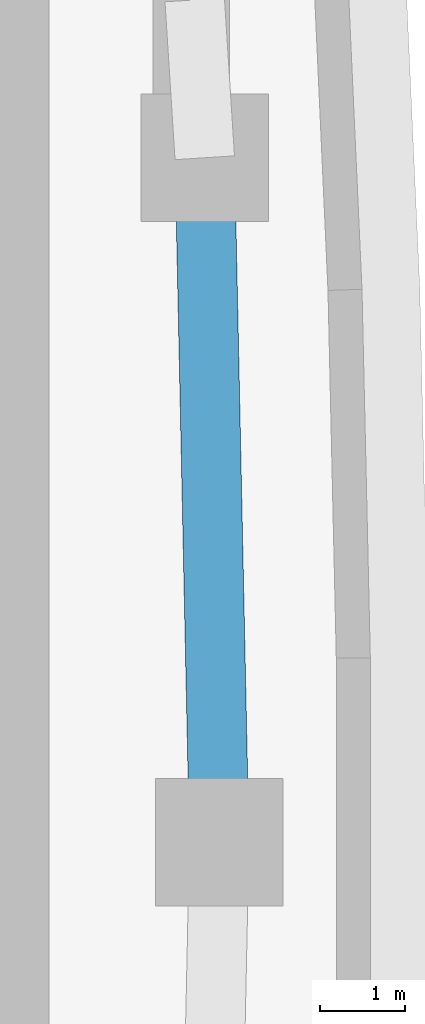
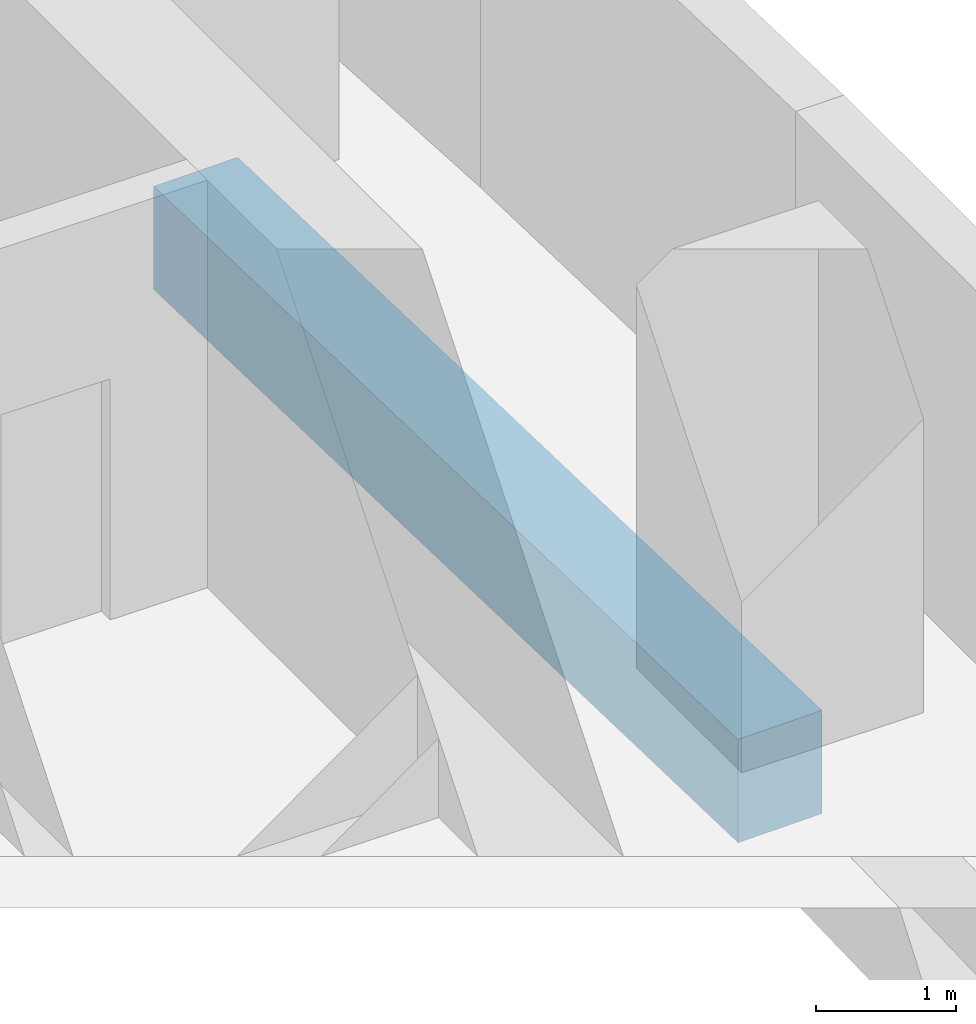
# One storey, part 4 of 16: 1 beam.
"""IFC4 building model written with IfcOpenShell, lengths in metres."""

from ifc_helpers import new_model, si_unit, direction, frame, origin, origin_2d, place, context, subcontext, project, spatial, rectangle, extrude, material, material_profile, profile_set, type_object, element, save


model = new_model("IFC4")

# Units and contexts
model_context = context("Model", 3, precision=1e-05, world=origin(), true_north=direction((0.0, 1.0)))
body_context = subcontext(model_context, "Body", "Model", "MODEL_VIEW")
ifc_project = project(units=[si_unit("LENGTHUNIT", "METRE"), si_unit("AREAUNIT", "SQUARE_METRE"), si_unit("VOLUMEUNIT", "CUBIC_METRE"), si_unit("PLANEANGLEUNIT", "RADIAN"), si_unit("MASSUNIT", "GRAM", prefix="KILO")], contexts=[model_context])

# Site, building, storey
site_placement = place(None, origin())
site = spatial("IfcSite", under=ifc_project, at=site_placement, CompositionType="ELEMENT")
building_placement = place(site_placement, origin())
building = spatial("IfcBuilding", under=site, at=building_placement, Name="Ostrand Prow Hotel Tower", CompositionType="ELEMENT")
storey_placement = place(building_placement, frame((0.0, 0.0, 147.949951171875)))
storey = spatial("IfcBuildingStorey", under=building, at=storey_placement, Name="L36", CompositionType="ELEMENT", Elevation=147.949951171875)

# Beam
ifc_material = material(Name="Concrete C70/85", Category="concrete")
ifc_material_profile = material_profile(ifc_material, rectangle(XDim=0.699951171875, YDim=0.89990234375, at=origin_2d()), Name="RC 700x900")
ifc_profile_set = profile_set([ifc_material_profile], Name="Concrete C70/85")
beam_type = type_object("IfcBeamType", Name="Edge beam 700x900 C70/85", PredefinedType="SPANDREL", material=ifc_profile_set)
beam_placement = place(storey_placement, frame((64.5, 0.0, -0.75), z_axis=(-0.021178217658, 0.999775716397, 0.0), x_axis=(-0.999775716397, -0.021178217658, 0.0)))
element("IfcBeam", 1, at=beam_placement, inside=storey, type_object=beam_type, Name="Edge beam B3-B4", PredefinedType="SPANDREL", context=body_context, shape_type="SweptSolid", body=[
    extrude(rectangle(XDim=0.699951171875, YDim=0.89990234375, at=origin_2d()), origin(), (0.0, 0.0, 1.0), 8.04638671875),
])

save(model, "model.ifc")
